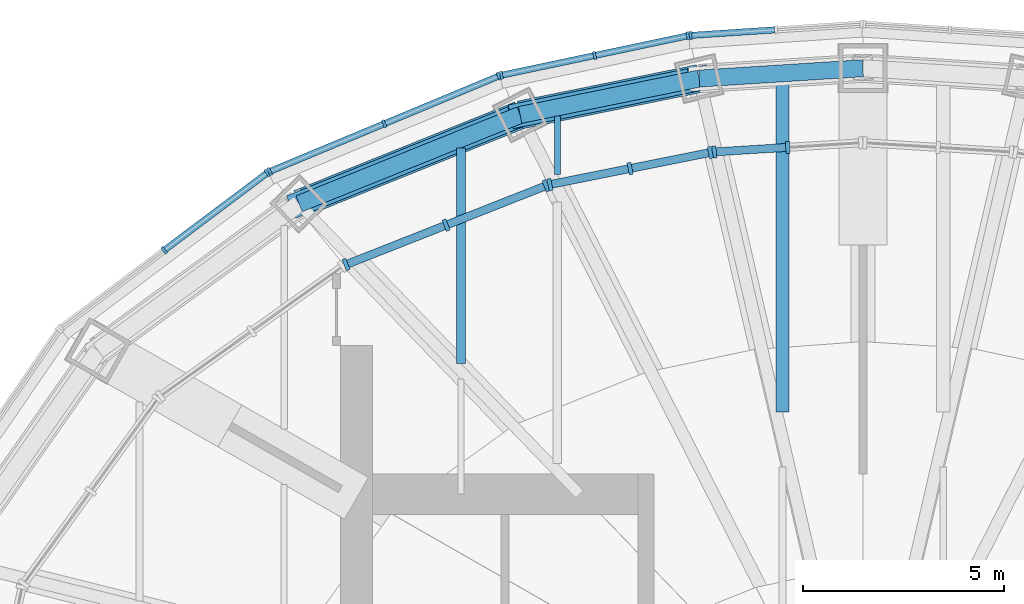
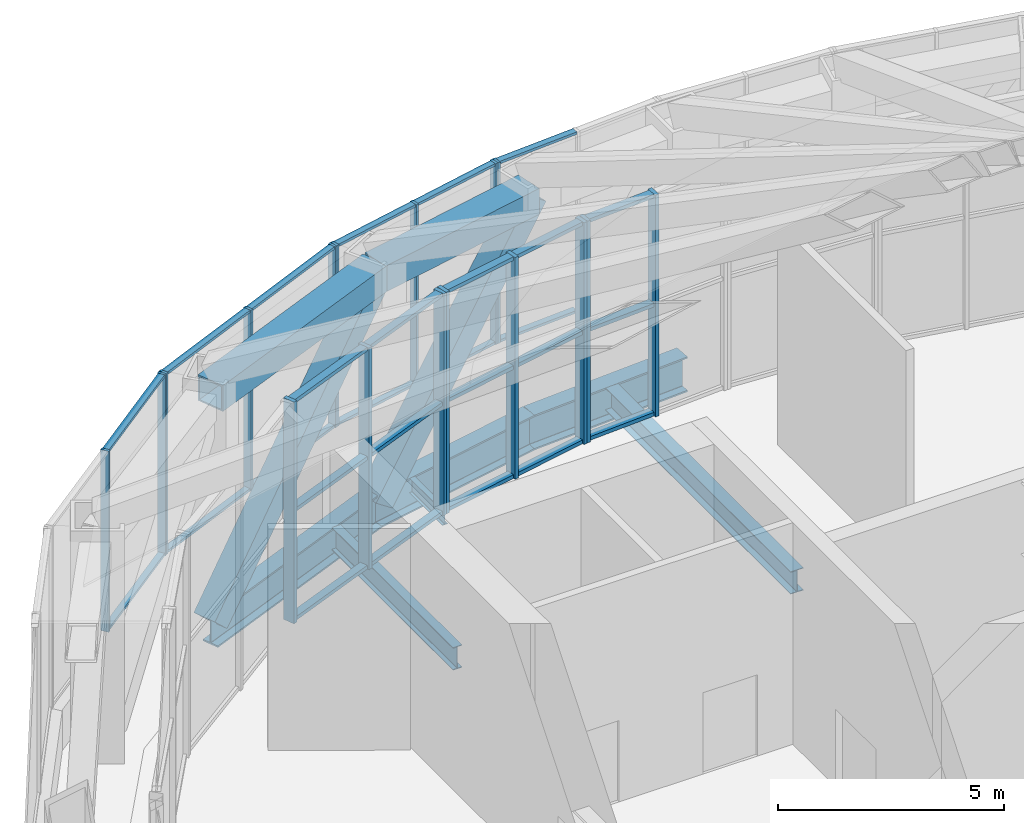
# One storey, part 11 of 21: 46 members, 8 beams, 7 elements without a shape of their own.
"""IFC4 building model written with IfcOpenShell, lengths in metres."""

from ifc_helpers import new_model, si_unit, direction, frame, origin, origin_2d, place, context, subcontext, project, spatial, rectangle, hollow_rectangle, i_section, extrude, material, material_profile, profile_set, type_object, element, aggregate, save


model = new_model("IFC4")

# Units and contexts
model_context = context("Model", 3, precision=1e-05, world=origin(), true_north=direction((0.0, 1.0)))
body_context = subcontext(model_context, "Body", "Model", "MODEL_VIEW")
ifc_project = project(units=[si_unit("LENGTHUNIT", "METRE"), si_unit("AREAUNIT", "SQUARE_METRE"), si_unit("VOLUMEUNIT", "CUBIC_METRE"), si_unit("PLANEANGLEUNIT", "RADIAN"), si_unit("MASSUNIT", "GRAM", prefix="KILO")], contexts=[model_context])

# Site, building, storey
site_placement = place(None, origin())
site = spatial("IfcSite", under=ifc_project, at=site_placement, CompositionType="ELEMENT")
building_placement = place(site_placement, origin())
building = spatial("IfcBuilding", under=site, at=building_placement, Name="Lantaw Convention Tower", CompositionType="ELEMENT")
storey_placement = place(building_placement, frame((0.0, 0.0, 290.39990234375)))
storey = spatial("IfcBuildingStorey", under=building, at=storey_placement, Name="L67", CompositionType="ELEMENT", Elevation=290.39990234375)

# Beams
ifc_material_1 = material(Name="Steel ASTM A992", Category="steel")
ifc_material_profile_1 = material_profile(ifc_material_1, i_section(OverallWidth=0.424072265625, OverallDepth=0.947509765625, WebThickness=0.02392578125, FlangeThickness=0.042724609375, FilletRadius=0.012451171875, at=origin_2d()), Name="W36X302")
ifc_profile_set_1 = profile_set([ifc_material_profile_1], Name="Steel ASTM A992")
beam_type_1 = type_object("IfcBeamType", Name="Beam BC W36X302", PredefinedType="SPANDREL", material=ifc_profile_set_1)
beam_1_placement = place(storey_placement, frame((0.0, 17.89990234375, -0.673583984375), z_axis=(-0.998006453216, -0.063111958769, 0.0), x_axis=(0.063111958769, -0.998006453216, 0.0)))
element("IfcBeam", 1, at=beam_1_placement, inside=storey, type_object=beam_type_1, Name="Belt truss chord 7", PredefinedType="SPANDREL", context=body_context, shape_type="SweptSolid", body=[
    extrude(i_section(OverallWidth=0.424072265625, OverallDepth=0.947509765625, WebThickness=0.02392578125, FlangeThickness=0.042724609375, FilletRadius=0.012451171875, at=origin_2d()), origin(), (0.0, 0.0, 1.0), 4.0810546875),
])
beam_2_placement = place(storey_placement, frame((-4.072998046875, 17.642333984375, -0.673583984375), z_axis=(-0.980006466425, -0.198965639657, 0.0), x_axis=(0.198965639657, -0.980006466425, 0.0)))
element("IfcBeam", 2, at=beam_2_placement, inside=storey, type_object=beam_type_1, Name="Belt truss chord 8", PredefinedType="SPANDREL", context=body_context, shape_type="SweptSolid", body=[
    extrude(i_section(OverallWidth=0.424072265625, OverallDepth=0.947509765625, WebThickness=0.02392578125, FlangeThickness=0.042724609375, FilletRadius=0.012451171875, at=origin_2d()), origin(), (0.0, 0.0, 1.0), 4.546142578125),
])
beam_3_placement = place(storey_placement, frame((-8.5283203125, 16.73779296875, -0.673583984375), z_axis=(-0.927779110974, -0.373129898615, 0.0), x_axis=(0.373129898615, -0.927779110974, 0.0)))
element("IfcBeam", 3, at=beam_3_placement, inside=storey, type_object=beam_type_1, Name="Belt truss chord 9", PredefinedType="SPANDREL", context=body_context, shape_type="SweptSolid", body=[
    extrude(i_section(OverallWidth=0.424072265625, OverallDepth=0.947509765625, WebThickness=0.02392578125, FlangeThickness=0.042724609375, FilletRadius=0.012451171875, at=origin_2d()), origin(), (0.0, 0.0, 1.0), 5.92724609375),
])
ifc_material_profile_2 = material_profile(ifc_material_1, i_section(OverallWidth=0.140380859375, OverallDepth=0.40380859375, WebThickness=0.007080078125, FlangeThickness=0.01123046875, FilletRadius=0.01025390625, at=origin_2d()), Name="W16X31")
ifc_profile_set_2 = profile_set([ifc_material_profile_2], Name="Steel ASTM A992")
beam_type_2 = type_object("IfcBeamType", Name="Beam J W16X31", PredefinedType="JOIST", material=ifc_profile_set_2)
beam_4_placement = place(storey_placement, frame((-7.60009765625, 15.25439453125, -0.40185546875), z_axis=(0.0, 1.0, 0.0), x_axis=(-1.0, 0.0, 0.0)))
element("IfcBeam", 4, at=beam_4_placement, inside=storey, type_object=beam_type_2, Name="Floor joist", PredefinedType="JOIST", context=body_context, shape_type="SweptSolid", body=[
    extrude(i_section(OverallWidth=0.140380859375, OverallDepth=0.40380859375, WebThickness=0.007080078125, FlangeThickness=0.01123046875, FilletRadius=0.01025390625, at=origin_2d()), origin(), (0.0, 0.0, 1.0), 1.45556640625),
])
ifc_material_profile_3 = material_profile(ifc_material_1, i_section(OverallWidth=0.3251953125, OverallDepth=0.612060546875, WebThickness=0.0126953125, FlangeThickness=0.01904296875, FilletRadius=0.0126953125, at=origin_2d()), Name="W24X104")
ifc_profile_set_3 = profile_set([ifc_material_profile_3], Name="Steel ASTM A992")
beam_type_3 = type_object("IfcBeamType", Name="Beam J W24X104", PredefinedType="JOIST", material=ifc_profile_set_3)
beam_5_placement = place(storey_placement, frame((-2.0, 9.34619140625, -0.505859375), z_axis=(0.0, 1.0, 0.0), x_axis=(-1.0, 0.0, 0.0)))
element("IfcBeam", 5, at=beam_5_placement, inside=storey, type_object=beam_type_3, Name="Floor joist", PredefinedType="JOIST", context=body_context, shape_type="SweptSolid", body=[
    extrude(i_section(OverallWidth=0.3251953125, OverallDepth=0.612060546875, WebThickness=0.0126953125, FlangeThickness=0.01904296875, FilletRadius=0.0126953125, at=origin_2d()), origin(), (0.0, 0.0, 1.0), 8.21484375),
])
ifc_material_profile_4 = material_profile(ifc_material_1, i_section(OverallWidth=0.22900390625, OverallDepth=0.612060546875, WebThickness=0.011962890625, FlangeThickness=0.01953125, FilletRadius=0.0126953125, at=origin_2d()), Name="W24X84")
ifc_profile_set_4 = profile_set([ifc_material_profile_4], Name="Steel ASTM A992")
beam_type_4 = type_object("IfcBeamType", Name="Beam J W24X84", PredefinedType="JOIST", material=ifc_profile_set_4)
beam_6_placement = place(storey_placement, frame((-10.0, 10.54736328125, -0.505859375), z_axis=(0.0, 1.0, 0.0), x_axis=(-1.0, 0.0, 0.0)))
element("IfcBeam", 6, at=beam_6_placement, inside=storey, type_object=beam_type_4, Name="Floor joist", PredefinedType="JOIST", context=body_context, shape_type="SweptSolid", body=[
    extrude(i_section(OverallWidth=0.22900390625, OverallDepth=0.612060546875, WebThickness=0.011962890625, FlangeThickness=0.01953125, FilletRadius=0.0126953125, at=origin_2d()), origin(), (0.0, 0.0, 1.0), 5.3701171875),
])
ifc_material_2 = material(Name="Steel ASTM A572 Grade 50", Category="steel")
ifc_material_profile_5 = material_profile(ifc_material_2, hollow_rectangle(XDim=0.699951171875, YDim=0.699951171875, WallThickness=0.0400390625, at=origin_2d()), Name="BOX700X40")
ifc_profile_set_5 = profile_set([ifc_material_profile_5], Name="Steel ASTM A572 Grade 50")
beam_type_5 = type_object("IfcBeamType", Name="Beam crown ring BOX700X40", PredefinedType="SPANDREL", material=ifc_profile_set_5)
beam_7_placement = place(storey_placement, frame((-4.072998046875, 17.642333984375, 5.650146484375), z_axis=(-0.980006466425, -0.198965639657, 0.0), x_axis=(0.198965639657, -0.980006466425, 0.0)))
element("IfcBeam", 7, at=beam_7_placement, inside=storey, type_object=beam_type_5, Name="Crown ring beam", PredefinedType="SPANDREL", context=body_context, shape_type="SweptSolid", body=[
    extrude(hollow_rectangle(XDim=0.699951171875, YDim=0.699951171875, WallThickness=0.0400390625, at=origin_2d()), origin(), (0.0, 0.0, 1.0), 4.546142578125),
])
beam_8_placement = place(storey_placement, frame((-8.5283203125, 16.73779296875, 5.650146484375), z_axis=(-0.927779110974, -0.373129898615, 0.0), x_axis=(0.373129898615, -0.927779110974, 0.0)))
element("IfcBeam", 8, at=beam_8_placement, inside=storey, type_object=beam_type_5, Name="Crown ring beam", PredefinedType="SPANDREL", context=body_context, shape_type="SweptSolid", body=[
    extrude(hollow_rectangle(XDim=0.699951171875, YDim=0.699951171875, WallThickness=0.0400390625, at=origin_2d()), origin(), (0.0, 0.0, 1.0), 5.92724609375),
])

# Curtain wall, members
ifc_material_3 = material(Name="Aluminium framed curtain wall", Category="aluminium")
curtain_wall_type_1 = type_object("IfcCurtainWallType", Name="LANTERN glazing curtain wall, pale aluminium", PredefinedType="USERDEFINED", material=ifc_material_3)
curtain_wall_1_placement = place(storey_placement, origin())
curtain_wall_1 = element("IfcCurtainWall", 9, at=curtain_wall_1_placement, inside=storey, type_object=curtain_wall_type_1, Name="LANTERN glazing curtain wall, pale aluminium L67", ObjectType="LANTERN GLAZING", PredefinedType="USERDEFINED")
ifc_material_4 = material(Name="Aluminium 6063-T6", Category="aluminium")
ifc_material_profile_6 = material_profile(ifc_material_4, rectangle(XDim=0.300048828125, YDim=0.10009765625, at=origin_2d()), Name="CW-LN mullion 100x300")
ifc_profile_set_6 = profile_set([ifc_material_profile_6], Name="Aluminium 6063-T6")
member_type_1 = type_object("IfcMemberType", Name="CW-LN mullion 100x300", PredefinedType="MULLION", material=ifc_profile_set_6)
member_1_placement = place(storey_placement, frame((-1.87255859375, 15.930908203125, 0.0), z_axis=(0.0, 0.0, 1.0), x_axis=(0.062488626454, -0.998045676091, 0.0)))
member_1 = element("IfcMember", 10, at=member_1_placement, type_object=member_type_1, Name="CW-LN mullion 2", PredefinedType="MULLION", context=body_context, shape_type="SweptSolid", body=[
    extrude(rectangle(XDim=0.300048828125, YDim=0.10009765625, at=origin_2d()), origin(), (0.0, 0.0, 1.0), 6.0),
])
member_2_placement = place(storey_placement, frame((-3.6953125, 15.816650390625, 0.0), z_axis=(0.0, 0.0, 1.0), x_axis=(0.062488626454, -0.998045676091, 0.0)))
member_2 = element("IfcMember", 11, at=member_2_placement, type_object=member_type_1, Name="CW-LN mullion 3", PredefinedType="MULLION", context=body_context, shape_type="SweptSolid", body=[
    extrude(rectangle(XDim=0.300048828125, YDim=0.10009765625, at=origin_2d()), origin(), (0.0, 0.0, 1.0), 6.0),
])

curtain_wall_2_placement = place(storey_placement, origin())
curtain_wall_2 = element("IfcCurtainWall", 12, at=curtain_wall_2_placement, inside=storey, type_object=curtain_wall_type_1, Name="LANTERN glazing curtain wall, pale aluminium L67", ObjectType="LANTERN GLAZING", PredefinedType="USERDEFINED")
member_3_placement = place(storey_placement, frame((-3.79443359375, 15.8037109375, 0.0), z_axis=(0.0, 0.0, 1.0), x_axis=(0.196367228305, -0.980530423622, 0.0)))
member_3 = element("IfcMember", 13, at=member_3_placement, type_object=member_type_1, Name="CW-LN mullion 1", PredefinedType="MULLION", context=body_context, shape_type="SweptSolid", body=[
    extrude(rectangle(XDim=0.300048828125, YDim=0.10009765625, at=origin_2d()), origin(), (0.0, 0.0, 1.0), 6.0),
])
member_4_placement = place(storey_placement, frame((-5.791015625, 15.404052734375, 0.0), z_axis=(0.0, 0.0, 1.0), x_axis=(0.196367228305, -0.980530423622, 0.0)))
member_4 = element("IfcMember", 14, at=member_4_placement, type_object=member_type_1, Name="CW-LN mullion 2", PredefinedType="MULLION", context=body_context, shape_type="SweptSolid", body=[
    extrude(rectangle(XDim=0.300048828125, YDim=0.10009765625, at=origin_2d()), origin(), (0.0, 0.0, 1.0), 6.0),
])
member_5_placement = place(storey_placement, frame((-7.787353515625, 15.004150390625, 0.0), z_axis=(0.0, 0.0, 1.0), x_axis=(0.196367228305, -0.980530423622, 0.0)))
member_5 = element("IfcMember", 15, at=member_5_placement, type_object=member_type_1, Name="CW-LN mullion 3", PredefinedType="MULLION", context=body_context, shape_type="SweptSolid", body=[
    extrude(rectangle(XDim=0.300048828125, YDim=0.10009765625, at=origin_2d()), origin(), (0.0, 0.0, 1.0), 6.0),
])

curtain_wall_3_placement = place(storey_placement, origin())
curtain_wall_3 = element("IfcCurtainWall", 16, at=curtain_wall_3_placement, inside=storey, type_object=curtain_wall_type_1, Name="LANTERN glazing curtain wall, pale aluminium L67", ObjectType="LANTERN GLAZING", PredefinedType="USERDEFINED")
member_6_placement = place(storey_placement, frame((-7.883056640625, 14.97607421875, 0.0), z_axis=(0.0, 0.0, 1.0), x_axis=(0.366801957358, -0.930299050885, 0.0)))
member_6 = element("IfcMember", 17, at=member_6_placement, type_object=member_type_1, Name="CW-LN mullion 1", PredefinedType="MULLION", context=body_context, shape_type="SweptSolid", body=[
    extrude(rectangle(XDim=0.300048828125, YDim=0.10009765625, at=origin_2d()), origin(), (0.0, 0.0, 1.0), 6.0),
])
member_7_placement = place(storey_placement, frame((-10.37109375, 13.994873046875, 0.0), z_axis=(0.0, 0.0, 1.0), x_axis=(0.366801957358, -0.930299050885, 0.0)))
member_7 = element("IfcMember", 18, at=member_7_placement, type_object=member_type_1, Name="CW-LN mullion 2", PredefinedType="MULLION", context=body_context, shape_type="SweptSolid", body=[
    extrude(rectangle(XDim=0.300048828125, YDim=0.10009765625, at=origin_2d()), origin(), (0.0, 0.0, 1.0), 6.0),
])
member_8_placement = place(storey_placement, frame((-12.859375, 13.013916015625, 0.0), z_axis=(0.0, 0.0, 1.0), x_axis=(0.366801957358, -0.930299050885, 0.0)))
member_8 = element("IfcMember", 19, at=member_8_placement, type_object=member_type_1, Name="CW-LN mullion 3", PredefinedType="MULLION", context=body_context, shape_type="SweptSolid", body=[
    extrude(rectangle(XDim=0.300048828125, YDim=0.10009765625, at=origin_2d()), origin(), (0.0, 0.0, 1.0), 6.0),
])

# Member
ifc_material_profile_7 = material_profile(ifc_material_4, rectangle(XDim=0.199951171875, YDim=0.10009765625, at=origin_2d()), Name="CW-LN transom 100x200")
ifc_profile_set_7 = profile_set([ifc_material_profile_7], Name="Aluminium 6063-T6")
member_type_2 = type_object("IfcMemberType", Name="CW-LN transom 100x200", PredefinedType="USERDEFINED", material=ifc_profile_set_7)
member_9_placement = place(storey_placement, frame((-1.922607421875, 15.927734375, 0.050048828125), z_axis=(-0.9980443153, -0.062510356719, 0.0), x_axis=(0.062510356719, -0.9980443153, 0.0)))
member_9 = element("IfcMember", 20, at=member_9_placement, type_object=member_type_2, Name="CW-LN transom 2.1", ObjectType="TRANSOM", PredefinedType="USERDEFINED", context=body_context, shape_type="SweptSolid", body=[
    extrude(rectangle(XDim=0.199951171875, YDim=0.10009765625, at=origin_2d()), origin(), (0.0, 0.0, 1.0), 1.726318359375),
])

member_10_placement = place(storey_placement, frame((-1.922607421875, 15.927734375, 3.0), z_axis=(-0.9980443153, -0.062510356719, 0.0), x_axis=(0.062510356719, -0.9980443153, 0.0)))
member_10 = element("IfcMember", 21, at=member_10_placement, type_object=member_type_2, Name="CW-LN transom 2.2", ObjectType="TRANSOM", PredefinedType="USERDEFINED", context=body_context, shape_type="SweptSolid", body=[
    extrude(rectangle(XDim=0.199951171875, YDim=0.10009765625, at=origin_2d()), origin(), (0.0, 0.0, 1.0), 1.726318359375),
])

member_11_placement = place(storey_placement, frame((-1.922607421875, 15.927734375, 5.9501953125), z_axis=(-0.9980443153, -0.062510356719, 0.0), x_axis=(0.062510356719, -0.9980443153, 0.0)))
member_11 = element("IfcMember", 22, at=member_11_placement, type_object=member_type_2, Name="CW-LN transom 2.3", ObjectType="TRANSOM", PredefinedType="USERDEFINED", context=body_context, shape_type="SweptSolid", body=[
    extrude(rectangle(XDim=0.199951171875, YDim=0.10009765625, at=origin_2d()), origin(), (0.0, 0.0, 1.0), 1.726318359375),
])

aggregate(curtain_wall_1, [member_1, member_2, member_9, member_10, member_11])

member_12_placement = place(storey_placement, frame((-3.84326171875, 15.7939453125, 0.050048828125), z_axis=(-0.980541861959, -0.196310104034, 0.0), x_axis=(0.196310104034, -0.980541861959, 0.0)))
member_12 = element("IfcMember", 23, at=member_12_placement, type_object=member_type_2, Name="CW-LN transom 1.1", ObjectType="TRANSOM", PredefinedType="USERDEFINED", context=body_context, shape_type="SweptSolid", body=[
    extrude(rectangle(XDim=0.199951171875, YDim=0.10009765625, at=origin_2d()), origin(), (0.0, 0.0, 1.0), 1.936279296875),
])

member_13_placement = place(storey_placement, frame((-3.84326171875, 15.7939453125, 3.0), z_axis=(-0.980541861959, -0.196310104034, 0.0), x_axis=(0.196310104034, -0.980541861959, 0.0)))
member_13 = element("IfcMember", 24, at=member_13_placement, type_object=member_type_2, Name="CW-LN transom 1.2", ObjectType="TRANSOM", PredefinedType="USERDEFINED", context=body_context, shape_type="SweptSolid", body=[
    extrude(rectangle(XDim=0.199951171875, YDim=0.10009765625, at=origin_2d()), origin(), (0.0, 0.0, 1.0), 1.936279296875),
])

member_14_placement = place(storey_placement, frame((-3.84326171875, 15.7939453125, 5.9501953125), z_axis=(-0.980541861959, -0.196310104034, 0.0), x_axis=(0.196310104034, -0.980541861959, 0.0)))
member_14 = element("IfcMember", 25, at=member_14_placement, type_object=member_type_2, Name="CW-LN transom 1.3", ObjectType="TRANSOM", PredefinedType="USERDEFINED", context=body_context, shape_type="SweptSolid", body=[
    extrude(rectangle(XDim=0.199951171875, YDim=0.10009765625, at=origin_2d()), origin(), (0.0, 0.0, 1.0), 1.936279296875),
])

member_15_placement = place(storey_placement, frame((-5.83984375, 15.39404296875, 0.050048828125), z_axis=(-0.980541861959, -0.196310104034, 0.0), x_axis=(0.196310104034, -0.980541861959, 0.0)))
member_15 = element("IfcMember", 26, at=member_15_placement, type_object=member_type_2, Name="CW-LN transom 2.1", ObjectType="TRANSOM", PredefinedType="USERDEFINED", context=body_context, shape_type="SweptSolid", body=[
    extrude(rectangle(XDim=0.199951171875, YDim=0.10009765625, at=origin_2d()), origin(), (0.0, 0.0, 1.0), 1.936279296875),
])

member_16_placement = place(storey_placement, frame((-5.83984375, 15.39404296875, 3.0), z_axis=(-0.980541861959, -0.196310104034, 0.0), x_axis=(0.196310104034, -0.980541861959, 0.0)))
member_16 = element("IfcMember", 27, at=member_16_placement, type_object=member_type_2, Name="CW-LN transom 2.2", ObjectType="TRANSOM", PredefinedType="USERDEFINED", context=body_context, shape_type="SweptSolid", body=[
    extrude(rectangle(XDim=0.199951171875, YDim=0.10009765625, at=origin_2d()), origin(), (0.0, 0.0, 1.0), 1.936279296875),
])

member_17_placement = place(storey_placement, frame((-5.83984375, 15.39404296875, 5.9501953125), z_axis=(-0.980541861959, -0.196310104034, 0.0), x_axis=(0.196310104034, -0.980541861959, 0.0)))
member_17 = element("IfcMember", 28, at=member_17_placement, type_object=member_type_2, Name="CW-LN transom 2.3", ObjectType="TRANSOM", PredefinedType="USERDEFINED", context=body_context, shape_type="SweptSolid", body=[
    extrude(rectangle(XDim=0.199951171875, YDim=0.10009765625, at=origin_2d()), origin(), (0.0, 0.0, 1.0), 1.936279296875),
])

aggregate(curtain_wall_2, [member_3, member_4, member_5, member_12, member_13, member_14, member_15, member_16, member_17])

member_18_placement = place(storey_placement, frame((-7.929443359375, 14.95751953125, 0.050048828125), z_axis=(-0.930309390119, -0.366775733461, 0.0), x_axis=(0.366775733461, -0.930309390119, 0.0)))
member_18 = element("IfcMember", 29, at=member_18_placement, type_object=member_type_2, Name="CW-LN transom 1.1", ObjectType="TRANSOM", PredefinedType="USERDEFINED", context=body_context, shape_type="SweptSolid", body=[
    extrude(rectangle(XDim=0.199951171875, YDim=0.10009765625, at=origin_2d()), origin(), (0.0, 0.0, 1.0), 2.57470703125),
])

member_19_placement = place(storey_placement, frame((-7.929443359375, 14.95751953125, 3.0), z_axis=(-0.930309390119, -0.366775733461, 0.0), x_axis=(0.366775733461, -0.930309390119, 0.0)))
member_19 = element("IfcMember", 30, at=member_19_placement, type_object=member_type_2, Name="CW-LN transom 1.2", ObjectType="TRANSOM", PredefinedType="USERDEFINED", context=body_context, shape_type="SweptSolid", body=[
    extrude(rectangle(XDim=0.199951171875, YDim=0.10009765625, at=origin_2d()), origin(), (0.0, 0.0, 1.0), 2.57470703125),
])

member_20_placement = place(storey_placement, frame((-7.929443359375, 14.95751953125, 5.9501953125), z_axis=(-0.930309390119, -0.366775733461, 0.0), x_axis=(0.366775733461, -0.930309390119, 0.0)))
member_20 = element("IfcMember", 31, at=member_20_placement, type_object=member_type_2, Name="CW-LN transom 1.3", ObjectType="TRANSOM", PredefinedType="USERDEFINED", context=body_context, shape_type="SweptSolid", body=[
    extrude(rectangle(XDim=0.199951171875, YDim=0.10009765625, at=origin_2d()), origin(), (0.0, 0.0, 1.0), 2.57470703125),
])

member_21_placement = place(storey_placement, frame((-10.417724609375, 13.9765625, 0.050048828125), z_axis=(-0.930296632408, -0.366808091147, 0.0), x_axis=(0.366808091147, -0.930296632408, 0.0)))
member_21 = element("IfcMember", 32, at=member_21_placement, type_object=member_type_2, Name="CW-LN transom 2.1", ObjectType="TRANSOM", PredefinedType="USERDEFINED", context=body_context, shape_type="SweptSolid", body=[
    extrude(rectangle(XDim=0.199951171875, YDim=0.10009765625, at=origin_2d()), origin(), (0.0, 0.0, 1.0), 2.574462890625),
])

member_22_placement = place(storey_placement, frame((-10.417724609375, 13.9765625, 3.0), z_axis=(-0.930296632408, -0.366808091147, 0.0), x_axis=(0.366808091147, -0.930296632408, 0.0)))
member_22 = element("IfcMember", 33, at=member_22_placement, type_object=member_type_2, Name="CW-LN transom 2.2", ObjectType="TRANSOM", PredefinedType="USERDEFINED", context=body_context, shape_type="SweptSolid", body=[
    extrude(rectangle(XDim=0.199951171875, YDim=0.10009765625, at=origin_2d()), origin(), (0.0, 0.0, 1.0), 2.574462890625),
])

member_23_placement = place(storey_placement, frame((-10.417724609375, 13.9765625, 5.9501953125), z_axis=(-0.930296632408, -0.366808091147, 0.0), x_axis=(0.366808091147, -0.930296632408, 0.0)))
member_23 = element("IfcMember", 34, at=member_23_placement, type_object=member_type_2, Name="CW-LN transom 2.3", ObjectType="TRANSOM", PredefinedType="USERDEFINED", context=body_context, shape_type="SweptSolid", body=[
    extrude(rectangle(XDim=0.199951171875, YDim=0.10009765625, at=origin_2d()), origin(), (0.0, 0.0, 1.0), 2.574462890625),
])

aggregate(curtain_wall_3, [member_6, member_7, member_8, member_18, member_19, member_20, member_21, member_22, member_23])

# Curtain wall, member
curtain_wall_type_2 = type_object("IfcCurtainWallType", Name="Plant floor louvre wall, pale aluminium", PredefinedType="USERDEFINED", material=ifc_material_3)
curtain_wall_4_placement = place(storey_placement, origin())
curtain_wall_4 = element("IfcCurtainWall", 35, at=curtain_wall_4_placement, inside=storey, type_object=curtain_wall_type_2, Name="Plant floor louvre wall, pale aluminium L67", ObjectType="LOUVRE WALL", PredefinedType="USERDEFINED")
ifc_material_profile_8 = material_profile(ifc_material_4, rectangle(XDim=0.199951171875, YDim=0.070068359375, at=origin_2d()), Name="CW-LV mullion 70x200")
ifc_profile_set_8 = profile_set([ifc_material_profile_8], Name="Aluminium 6063-T6")
member_type_3 = type_object("IfcMemberType", Name="CW-LV mullion 70x200", PredefinedType="MULLION", material=ifc_profile_set_8)
member_24_placement = place(storey_placement, frame((-4.28564453125, 18.71630859375, 1.10009765625), z_axis=(0.0, 0.0, 1.0), x_axis=(0.066024902273, -0.997817975525, 0.0)))
member_24 = element("IfcMember", 36, at=member_24_placement, type_object=member_type_3, Name="CW-LV mullion 3", PredefinedType="MULLION", context=body_context, shape_type="SweptSolid", body=[
    extrude(rectangle(XDim=0.199951171875, YDim=0.070068359375, at=origin_2d()), origin(), (0.0, 0.0, 1.0), 4.89990234375),
])

# Curtain wall, members
curtain_wall_5_placement = place(storey_placement, origin())
curtain_wall_5 = element("IfcCurtainWall", 37, at=curtain_wall_5_placement, inside=storey, type_object=curtain_wall_type_2, Name="Plant floor louvre wall, pale aluminium L67", ObjectType="LOUVRE WALL", PredefinedType="USERDEFINED")
member_25_placement = place(storey_placement, frame((-4.354736328125, 18.706787109375, 1.10009765625), z_axis=(0.0, 0.0, 1.0), x_axis=(0.207039911975, -0.978332497083, 0.0)))
member_25 = element("IfcMember", 38, at=member_25_placement, type_object=member_type_3, Name="CW-LV mullion 1", PredefinedType="MULLION", context=body_context, shape_type="SweptSolid", body=[
    extrude(rectangle(XDim=0.199951171875, YDim=0.070068359375, at=origin_2d()), origin(), (0.0, 0.0, 1.0), 4.89990234375),
])
member_26_placement = place(storey_placement, frame((-6.674072265625, 18.216064453125, 1.10009765625), z_axis=(0.0, 0.0, 1.0), x_axis=(0.207039911975, -0.978332497083, 0.0)))
member_26 = element("IfcMember", 39, at=member_26_placement, type_object=member_type_3, Name="CW-LV mullion 2", PredefinedType="MULLION", context=body_context, shape_type="SweptSolid", body=[
    extrude(rectangle(XDim=0.199951171875, YDim=0.070068359375, at=origin_2d()), origin(), (0.0, 0.0, 1.0), 4.89990234375),
])
member_27_placement = place(storey_placement, frame((-8.993408203125, 17.72509765625, 1.10009765625), z_axis=(0.0, 0.0, 1.0), x_axis=(0.207039911975, -0.978332497083, 0.0)))
member_27 = element("IfcMember", 40, at=member_27_placement, type_object=member_type_3, Name="CW-LV mullion 3", PredefinedType="MULLION", context=body_context, shape_type="SweptSolid", body=[
    extrude(rectangle(XDim=0.199951171875, YDim=0.070068359375, at=origin_2d()), origin(), (0.0, 0.0, 1.0), 4.89990234375),
])

curtain_wall_6_placement = place(storey_placement, origin())
curtain_wall_6 = element("IfcCurtainWall", 41, at=curtain_wall_6_placement, inside=storey, type_object=curtain_wall_type_2, Name="Plant floor louvre wall, pale aluminium L67", ObjectType="LOUVRE WALL", PredefinedType="USERDEFINED")
member_28_placement = place(storey_placement, frame((-9.06005859375, 17.70458984375, 1.10009765625), z_axis=(0.0, 0.0, 1.0), x_axis=(0.384459697924, -0.923141777124, 0.0)))
member_28 = element("IfcMember", 42, at=member_28_placement, type_object=member_type_3, Name="CW-LV mullion 1", PredefinedType="MULLION", context=body_context, shape_type="SweptSolid", body=[
    extrude(rectangle(XDim=0.199951171875, YDim=0.070068359375, at=origin_2d()), origin(), (0.0, 0.0, 1.0), 4.89990234375),
])
member_29_placement = place(storey_placement, frame((-11.90966796875, 16.517578125, 1.10009765625), z_axis=(0.0, 0.0, 1.0), x_axis=(0.384459697924, -0.923141777124, 0.0)))
member_29 = element("IfcMember", 43, at=member_29_placement, type_object=member_type_3, Name="CW-LV mullion 2", PredefinedType="MULLION", context=body_context, shape_type="SweptSolid", body=[
    extrude(rectangle(XDim=0.199951171875, YDim=0.070068359375, at=origin_2d()), origin(), (0.0, 0.0, 1.0), 4.89990234375),
])
member_30_placement = place(storey_placement, frame((-14.759521484375, 15.330810546875, 1.10009765625), z_axis=(0.0, 0.0, 1.0), x_axis=(0.384459697924, -0.923141777124, 0.0)))
member_30 = element("IfcMember", 44, at=member_30_placement, type_object=member_type_3, Name="CW-LV mullion 3", PredefinedType="MULLION", context=body_context, shape_type="SweptSolid", body=[
    extrude(rectangle(XDim=0.199951171875, YDim=0.070068359375, at=origin_2d()), origin(), (0.0, 0.0, 1.0), 4.89990234375),
])

curtain_wall_7_placement = place(storey_placement, origin())
curtain_wall_7 = element("IfcCurtainWall", 45, at=curtain_wall_7_placement, inside=storey, type_object=curtain_wall_type_2, Name="Plant floor louvre wall, pale aluminium L67", ObjectType="LOUVRE WALL", PredefinedType="USERDEFINED")
member_31_placement = place(storey_placement, frame((-14.81982421875, 15.29638671875, 1.10009765625), z_axis=(0.0, 0.0, 1.0), x_axis=(0.600642756762, -0.799517528732, 0.0)))
member_31 = element("IfcMember", 46, at=member_31_placement, type_object=member_type_3, Name="CW-LV mullion 1", PredefinedType="MULLION", context=body_context, shape_type="SweptSolid", body=[
    extrude(rectangle(XDim=0.199951171875, YDim=0.070068359375, at=origin_2d()), origin(), (0.0, 0.0, 1.0), 4.89990234375),
])
member_32_placement = place(storey_placement, frame((-17.386962890625, 13.367919921875, 1.10009765625), z_axis=(0.0, 0.0, 1.0), x_axis=(0.600642756762, -0.799517528732, 0.0)))
member_32 = element("IfcMember", 47, at=member_32_placement, type_object=member_type_3, Name="CW-LV mullion 2", PredefinedType="MULLION", context=body_context, shape_type="SweptSolid", body=[
    extrude(rectangle(XDim=0.199951171875, YDim=0.070068359375, at=origin_2d()), origin(), (0.0, 0.0, 1.0), 4.89990234375),
])

# Member
ifc_material_profile_9 = material_profile(ifc_material_4, rectangle(XDim=0.159912109375, YDim=0.070068359375, at=origin_2d()), Name="CW-LV transom 70x160")
ifc_profile_set_9 = profile_set([ifc_material_profile_9], Name="Aluminium 6063-T6")
member_type_4 = type_object("IfcMemberType", Name="CW-LV transom 70x160", PredefinedType="USERDEFINED", material=ifc_profile_set_9)
member_33_placement = place(storey_placement, frame((-2.195068359375, 18.854736328125, 1.135009765625), z_axis=(-0.997819110413, -0.066007748753, 0.0), x_axis=(0.066007748753, -0.997819110413, 0.0)))
member_33 = element("IfcMember", 48, at=member_33_placement, type_object=member_type_4, Name="CW-LV transom 2.1", ObjectType="TRANSOM", PredefinedType="USERDEFINED", context=body_context, shape_type="SweptSolid", body=[
    extrude(rectangle(XDim=0.159912109375, YDim=0.070068359375, at=origin_2d()), origin(), (0.0, 0.0, 1.0), 2.06005859375),
])

member_34_placement = place(storey_placement, frame((-2.195068359375, 18.854736328125, 5.965087890625), z_axis=(-0.997819110413, -0.066007748753, 0.0), x_axis=(0.066007748753, -0.997819110413, 0.0)))
member_34 = element("IfcMember", 49, at=member_34_placement, type_object=member_type_4, Name="CW-LV transom 2.2", ObjectType="TRANSOM", PredefinedType="USERDEFINED", context=body_context, shape_type="SweptSolid", body=[
    extrude(rectangle(XDim=0.159912109375, YDim=0.070068359375, at=origin_2d()), origin(), (0.0, 0.0, 1.0), 2.06005859375),
])

aggregate(curtain_wall_4, [member_24, member_33, member_34])

member_35_placement = place(storey_placement, frame((-4.388916015625, 18.69970703125, 1.135009765625), z_axis=(-0.978336479598, -0.207021092375, 0.0), x_axis=(0.207021092375, -0.978336479598, 0.0)))
member_35 = element("IfcMember", 50, at=member_35_placement, type_object=member_type_4, Name="CW-LV transom 1.1", ObjectType="TRANSOM", PredefinedType="USERDEFINED", context=body_context, shape_type="SweptSolid", body=[
    extrude(rectangle(XDim=0.159912109375, YDim=0.070068359375, at=origin_2d()), origin(), (0.0, 0.0, 1.0), 2.30078125),
])

member_36_placement = place(storey_placement, frame((-4.388916015625, 18.69970703125, 5.965087890625), z_axis=(-0.978336479598, -0.207021092375, 0.0), x_axis=(0.207021092375, -0.978336479598, 0.0)))
member_36 = element("IfcMember", 51, at=member_36_placement, type_object=member_type_4, Name="CW-LV transom 1.2", ObjectType="TRANSOM", PredefinedType="USERDEFINED", context=body_context, shape_type="SweptSolid", body=[
    extrude(rectangle(XDim=0.159912109375, YDim=0.070068359375, at=origin_2d()), origin(), (0.0, 0.0, 1.0), 2.30078125),
])

member_37_placement = place(storey_placement, frame((-6.708251953125, 18.208740234375, 1.135009765625), z_axis=(-0.978336479598, -0.207021092375, 0.0), x_axis=(0.207021092375, -0.978336479598, 0.0)))
member_37 = element("IfcMember", 52, at=member_37_placement, type_object=member_type_4, Name="CW-LV transom 2.1", ObjectType="TRANSOM", PredefinedType="USERDEFINED", context=body_context, shape_type="SweptSolid", body=[
    extrude(rectangle(XDim=0.159912109375, YDim=0.070068359375, at=origin_2d()), origin(), (0.0, 0.0, 1.0), 2.30078125),
])

member_38_placement = place(storey_placement, frame((-6.708251953125, 18.208740234375, 5.965087890625), z_axis=(-0.978336479598, -0.207021092375, 0.0), x_axis=(0.207021092375, -0.978336479598, 0.0)))
member_38 = element("IfcMember", 53, at=member_38_placement, type_object=member_type_4, Name="CW-LV transom 2.2", ObjectType="TRANSOM", PredefinedType="USERDEFINED", context=body_context, shape_type="SweptSolid", body=[
    extrude(rectangle(XDim=0.159912109375, YDim=0.070068359375, at=origin_2d()), origin(), (0.0, 0.0, 1.0), 2.30078125),
])

aggregate(curtain_wall_5, [member_25, member_26, member_27, member_35, member_36, member_37, member_38])

member_39_placement = place(storey_placement, frame((-9.09228515625, 17.69091796875, 1.135009765625), z_axis=(-0.923143943999, -0.384454494911, 0.0), x_axis=(0.384454494911, -0.923143943999, 0.0)))
member_39 = element("IfcMember", 54, at=member_39_placement, type_object=member_type_4, Name="CW-LV transom 1.1", ObjectType="TRANSOM", PredefinedType="USERDEFINED", context=body_context, shape_type="SweptSolid", body=[
    extrude(rectangle(XDim=0.159912109375, YDim=0.070068359375, at=origin_2d()), origin(), (0.0, 0.0, 1.0), 3.01708984375),
])

member_40_placement = place(storey_placement, frame((-9.09228515625, 17.69091796875, 5.965087890625), z_axis=(-0.923143943999, -0.384454494911, 0.0), x_axis=(0.384454494911, -0.923143943999, 0.0)))
member_40 = element("IfcMember", 55, at=member_40_placement, type_object=member_type_4, Name="CW-LV transom 1.2", ObjectType="TRANSOM", PredefinedType="USERDEFINED", context=body_context, shape_type="SweptSolid", body=[
    extrude(rectangle(XDim=0.159912109375, YDim=0.070068359375, at=origin_2d()), origin(), (0.0, 0.0, 1.0), 3.01708984375),
])

member_41_placement = place(storey_placement, frame((-11.942138671875, 16.504150390625, 1.135009765625), z_axis=(-0.923143943999, -0.384454494911, 0.0), x_axis=(0.384454494911, -0.923143943999, 0.0)))
member_41 = element("IfcMember", 56, at=member_41_placement, type_object=member_type_4, Name="CW-LV transom 2.1", ObjectType="TRANSOM", PredefinedType="USERDEFINED", context=body_context, shape_type="SweptSolid", body=[
    extrude(rectangle(XDim=0.159912109375, YDim=0.070068359375, at=origin_2d()), origin(), (0.0, 0.0, 1.0), 3.01708984375),
])

member_42_placement = place(storey_placement, frame((-11.942138671875, 16.504150390625, 5.965087890625), z_axis=(-0.923143943999, -0.384454494911, 0.0), x_axis=(0.384454494911, -0.923143943999, 0.0)))
member_42 = element("IfcMember", 57, at=member_42_placement, type_object=member_type_4, Name="CW-LV transom 2.2", ObjectType="TRANSOM", PredefinedType="USERDEFINED", context=body_context, shape_type="SweptSolid", body=[
    extrude(rectangle(XDim=0.159912109375, YDim=0.070068359375, at=origin_2d()), origin(), (0.0, 0.0, 1.0), 3.01708984375),
])

aggregate(curtain_wall_6, [member_28, member_29, member_30, member_39, member_40, member_41, member_42])

member_43_placement = place(storey_placement, frame((-14.847900390625, 15.275390625, 1.135009765625), z_axis=(-0.799505333284, -0.600658989819, 0.0), x_axis=(0.600658989819, -0.799505333284, 0.0)))
member_43 = element("IfcMember", 58, at=member_43_placement, type_object=member_type_4, Name="CW-LV transom 1.1", ObjectType="TRANSOM", PredefinedType="USERDEFINED", context=body_context, shape_type="SweptSolid", body=[
    extrude(rectangle(XDim=0.159912109375, YDim=0.070068359375, at=origin_2d()), origin(), (0.0, 0.0, 1.0), 3.140625),
])

member_44_placement = place(storey_placement, frame((-14.847900390625, 15.275390625, 5.965087890625), z_axis=(-0.799505333284, -0.600658989819, 0.0), x_axis=(0.600658989819, -0.799505333284, 0.0)))
member_44 = element("IfcMember", 59, at=member_44_placement, type_object=member_type_4, Name="CW-LV transom 1.2", ObjectType="TRANSOM", PredefinedType="USERDEFINED", context=body_context, shape_type="SweptSolid", body=[
    extrude(rectangle(XDim=0.159912109375, YDim=0.070068359375, at=origin_2d()), origin(), (0.0, 0.0, 1.0), 3.140625),
])

aggregate(curtain_wall_7, [member_31, member_32, member_43, member_44])

# Members
ifc_material_profile_10 = material_profile(ifc_material_2, hollow_rectangle(XDim=0.60009765625, YDim=0.60009765625, WallThickness=0.031982421875, at=origin_2d()), Name="BOX600X32")
ifc_profile_set_10 = profile_set([ifc_material_profile_10], Name="Steel ASTM A572 Grade 50")
member_type_5 = type_object("IfcMemberType", Name="Member CR BOX600X32", PredefinedType="BRACE", material=ifc_profile_set_10)
member_45_placement = place(storey_placement, frame((-8.5283203125, 16.73779296875, -0.505859375), z_axis=(0.57950592565, 0.117654088144, 0.806430652741), x_axis=(-0.198965639657, 0.980006466425, 0.0)))
element("IfcMember", 60, at=member_45_placement, inside=storey, type_object=member_type_5, Name="Crown ring truss diagonal 8 (upper)", PredefinedType="BRACE", context=body_context, shape_type="SweptSolid", body=[
    extrude(hollow_rectangle(XDim=0.60009765625, YDim=0.60009765625, WallThickness=0.031982421875, at=origin_2d()), origin(), (0.0, 0.0, 1.0), 7.688232421875),
])
member_46_placement = place(storey_placement, frame((-14.027587890625, 14.526123046875, -0.505859375), z_axis=(0.641130065907, 0.257846715518, 0.722819002162), x_axis=(-0.373129898615, 0.927779110974, 0.0)))
element("IfcMember", 61, at=member_46_placement, inside=storey, type_object=member_type_5, Name="Crown ring truss diagonal 9 (upper)", PredefinedType="BRACE", context=body_context, shape_type="SweptSolid", body=[
    extrude(hollow_rectangle(XDim=0.60009765625, YDim=0.60009765625, WallThickness=0.031982421875, at=origin_2d()), origin(), (0.0, 0.0, 1.0), 8.577392578125),
])

save(model, "model.ifc")
